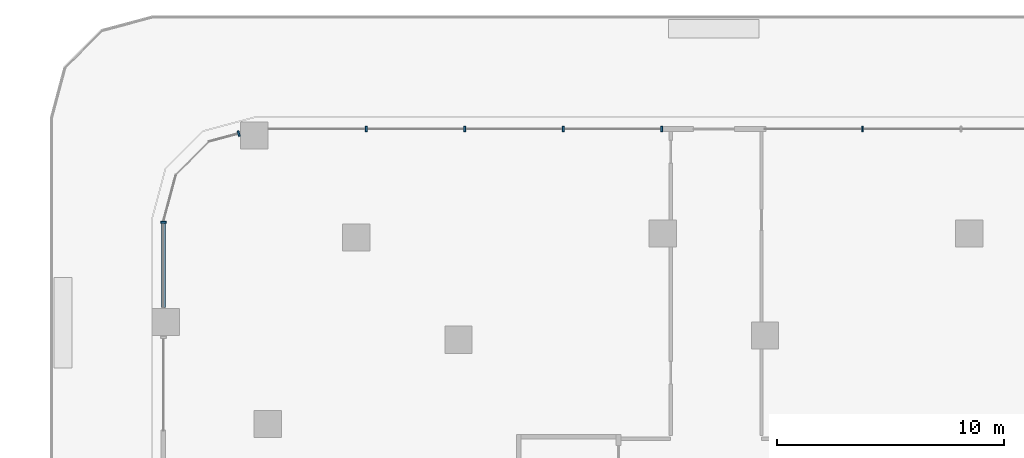
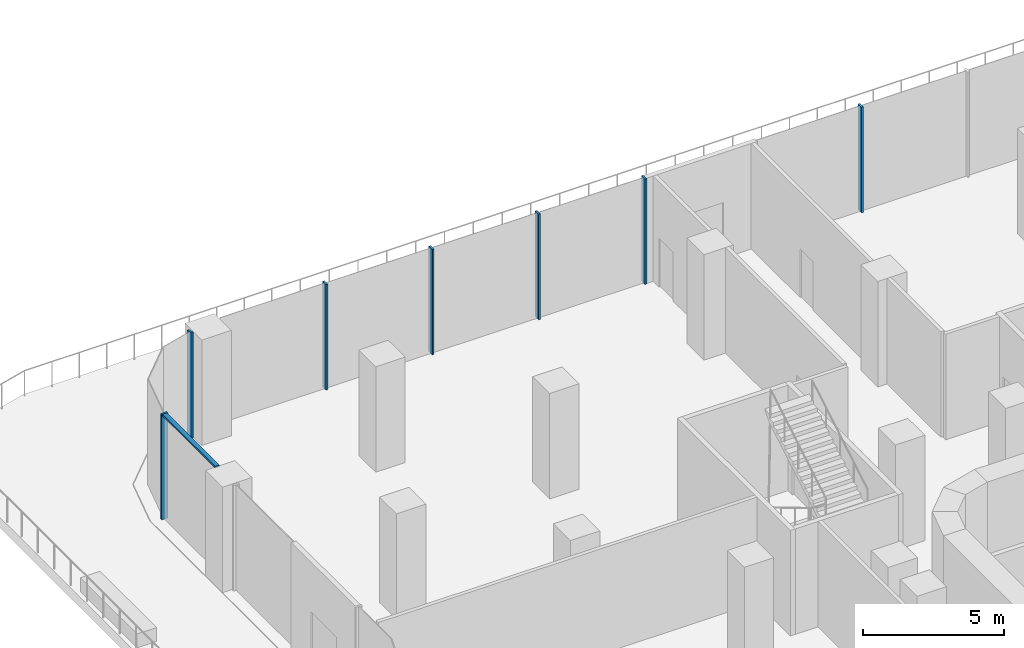
# One storey, part 7 of 30: 8 members, 3 elements without a shape of their own.
"""IFC4 building model written with IfcOpenShell, lengths in metres."""

from ifc_helpers import new_model, si_unit, direction, frame, origin, place, context, subcontext, project, spatial, polyline, outline, extrude, source, transform, mapped, material, type_object, element, aggregate, save


model = new_model("IFC4")

# Units and contexts
model_context = context("Model", 3, precision=1e-05, world=origin(), true_north=direction((0.0, 1.0)))
body_context = subcontext(model_context, "Body", "Model", "MODEL_VIEW")
ifc_project = project(units=[si_unit("LENGTHUNIT", "METRE"), si_unit("AREAUNIT", "SQUARE_METRE"), si_unit("VOLUMEUNIT", "CUBIC_METRE"), si_unit("PLANEANGLEUNIT", "RADIAN"), si_unit("MASSUNIT", "GRAM", prefix="KILO")], contexts=[model_context])

# Site, building, storey
site_placement = place(None, origin())
site = spatial("IfcSite", under=ifc_project, at=site_placement, CompositionType="ELEMENT")
building_placement = place(site_placement, origin())
building = spatial("IfcBuilding", under=site, at=building_placement, Name="Zarbagh Exchange Tower", CompositionType="ELEMENT")
storey_placement = place(building_placement, frame((0.0, 0.0, 7.0)))
storey = spatial("IfcBuildingStorey", under=building, at=storey_placement, Name="L01", CompositionType="ELEMENT", Elevation=7.0)

# Curtain wall, member
ifc_material_1 = material(Name="Anodised aluminium frame and glazing", Category="aluminium")
curtain_wall_type = type_object("IfcCurtainWallType", Name="CWC Podium garden-wall glazing", PredefinedType="NOTDEFINED", material=ifc_material_1)
curtain_wall_1_placement = place(storey_placement, origin())
curtain_wall_1 = element("IfcCurtainWall", 1, at=curtain_wall_1_placement, inside=storey, type_object=curtain_wall_type, Name="CWC78 curtain wall", PredefinedType="NOTDEFINED")
ifc_material_2 = material(Name="Anodised aluminium frame", Category="aluminium")
member_type_1 = type_object("IfcMemberType", Name="TRC Transom, anodised aluminium frame", PredefinedType="USERDEFINED", material=ifc_material_2)
shared_shape_1 = source(origin(), body_context, "Body", "SweptSolid", [
    extrude(outline(polyline([(-0.080078125, -0.090087890625), (0.0, -0.090087890625), (0.0, 0.090087890625), (-0.080078125, 0.090087890625), (-0.080078125, -0.090087890625)])), origin(), (0.0, 0.0, 1.0), 3.714111328125),
])
placement = place(storey_placement, origin())
member_1 = element("IfcMember", 2, at=placement, type_object=member_type_1, Name="CWC78 transom 1.1", ObjectType="TRANSOM", PredefinedType="USERDEFINED", context=body_context, shape_type="MappedRepresentation", body=[
    mapped(shared_shape_1, transform((-24.25, 47.104248046875, 4.550048828125), x_axis=(0.0, 0.0, 1.0), y_axis=(-1.0, 0.0, 0.0), z_axis=(0.0, -1.0, 0.0))),
])

# Curtain wall, members
curtain_wall_2_placement = place(storey_placement, origin())
curtain_wall_2 = element("IfcCurtainWall", 3, at=curtain_wall_2_placement, inside=storey, type_object=curtain_wall_type, Name="CWC74 curtain wall", PredefinedType="NOTDEFINED")
member_type_2 = type_object("IfcMemberType", Name="MUC Mullion, anodised aluminium frame", PredefinedType="MULLION", material=ifc_material_2)
shared_shape_2 = source(origin(), body_context, "Body", "SweptSolid", [
    extrude(outline(polyline([(0.0, -0.125), (0.080078125, -0.125), (0.080078125, 0.125), (0.0, 0.125), (0.0, -0.125)])), origin(), (0.0, 0.0, 1.0), 4.550048828125),
])
member_2 = element("IfcMember", 4, at=placement, type_object=member_type_2, Name="CWC74 mullion 1.4", PredefinedType="MULLION", context=body_context, shape_type="MappedRepresentation", body=[
    mapped(shared_shape_2, transform((6.590087890625, 51.25, 0.0), x_axis=(-1.0, 0.0, 0.0), y_axis=(0.0, -1.0, 0.0), z_axis=(0.0, 0.0, 1.0))),
])
member_3 = element("IfcMember", 5, at=placement, type_object=member_type_2, Name="CWC74 mullion 2.1", PredefinedType="MULLION", context=body_context, shape_type="MappedRepresentation", body=[
    mapped(shared_shape_2, transform((-2.25, 51.25, 0.0), x_axis=(-1.0, 0.0, 0.0), y_axis=(0.0, -1.0, 0.0), z_axis=(0.0, 0.0, 1.0))),
])
member_4 = element("IfcMember", 6, at=placement, type_object=member_type_2, Name="CWC74 mullion 2.2", PredefinedType="MULLION", context=body_context, shape_type="MappedRepresentation", body=[
    mapped(shared_shape_2, transform((-6.590087890625, 51.25, 0.0), x_axis=(-1.0, 0.0, 0.0), y_axis=(0.0, -1.0, 0.0), z_axis=(0.0, 0.0, 1.0))),
])
member_5 = element("IfcMember", 7, at=placement, type_object=member_type_2, Name="CWC74 mullion 2.3", PredefinedType="MULLION", context=body_context, shape_type="MappedRepresentation", body=[
    mapped(shared_shape_2, transform((-10.929931640625, 51.25, 0.0), x_axis=(-1.0, 0.0, 0.0), y_axis=(0.0, -1.0, 0.0), z_axis=(0.0, 0.0, 1.0))),
])
member_6 = element("IfcMember", 8, at=placement, type_object=member_type_2, Name="CWC74 mullion 2.4", PredefinedType="MULLION", context=body_context, shape_type="MappedRepresentation", body=[
    mapped(shared_shape_2, transform((-15.27001953125, 51.25, 0.0), x_axis=(-1.0, 0.0, 0.0), y_axis=(0.0, -1.0, 0.0), z_axis=(0.0, 0.0, 1.0))),
])
aggregate(curtain_wall_2, [member_2, member_3, member_4, member_5, member_6])

# Curtain wall, member
curtain_wall_3_placement = place(storey_placement, origin())
curtain_wall_3 = element("IfcCurtainWall", 9, at=curtain_wall_3_placement, inside=storey, type_object=curtain_wall_type, Name="CWC75 curtain wall", PredefinedType="NOTDEFINED")
member_7 = element("IfcMember", 10, at=placement, type_object=member_type_2, Name="CWC75 mullion 1.1", PredefinedType="MULLION", context=body_context, shape_type="MappedRepresentation", body=[
    mapped(shared_shape_2, transform((-20.889892578125, 51.060791015625, 0.0), x_axis=(-0.965924289636, -0.258824779902, 0.0), y_axis=(0.258824779902, -0.965924289636, 0.0), z_axis=(0.0, 0.0, 1.0))),
])
aggregate(curtain_wall_3, [member_7])

# Member
member_8 = element("IfcMember", 11, at=placement, type_object=member_type_2, Name="CWC78 mullion 1.1", PredefinedType="MULLION", context=body_context, shape_type="MappedRepresentation", body=[
    mapped(shared_shape_2, transform((-24.25, 47.18408203125, 0.0), x_axis=(0.0, -1.0, 0.0), y_axis=(1.0, 0.0, 0.0), z_axis=(0.0, 0.0, 1.0))),
])

aggregate(curtain_wall_1, [member_8, member_1])

save(model, "model.ifc")
